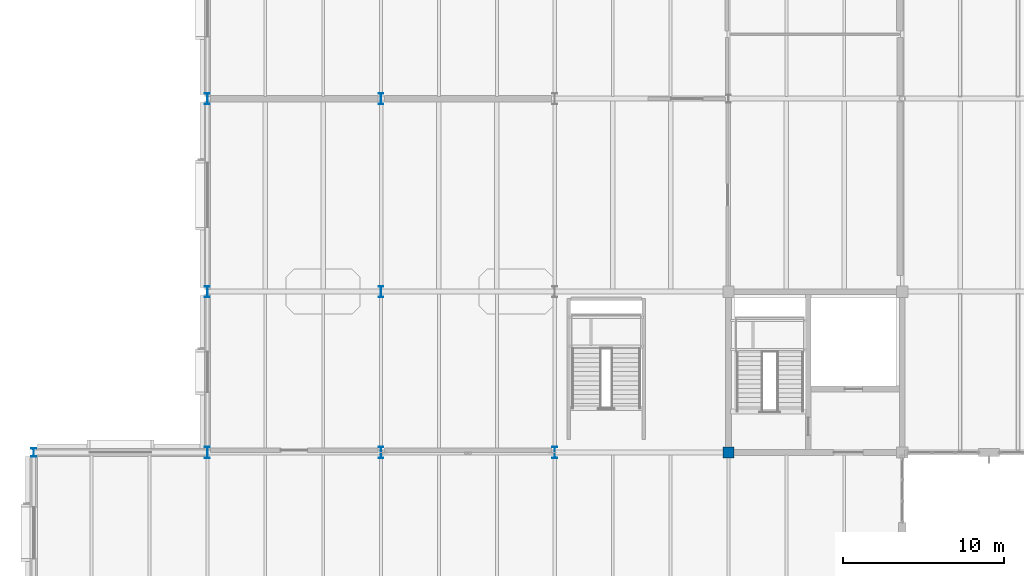
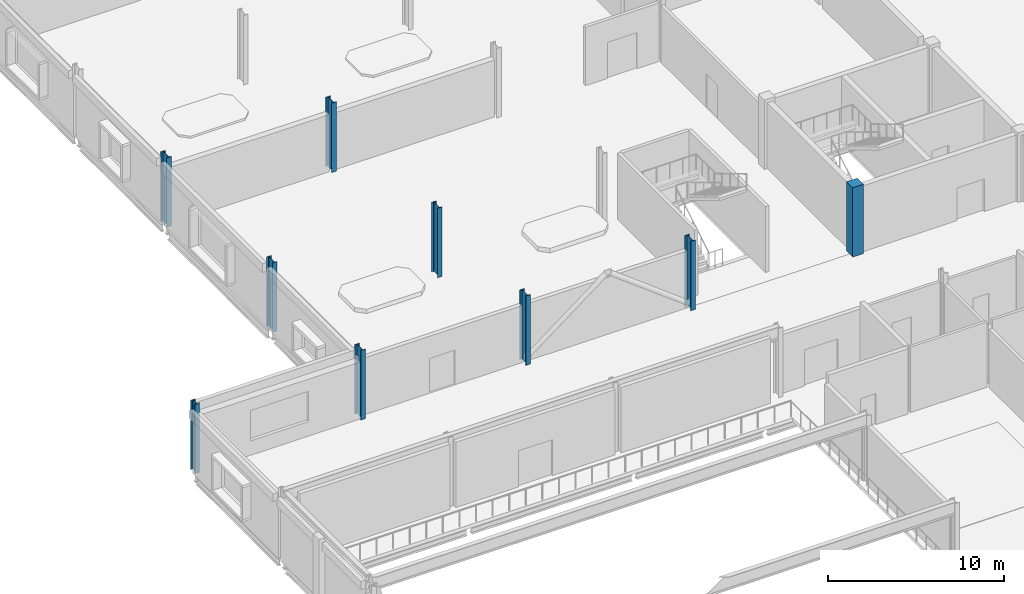
# One storey, part 3 of 92: 9 columns.
"""IFC4 building model written with IfcOpenShell, lengths in metres."""

from ifc_helpers import new_model, si_unit, direction, frame, origin, origin_2d, place, context, subcontext, project, spatial, rectangle, i_section, extrude, material, material_profile, profile_set, type_object, element, save


model = new_model("IFC4")

# Units and contexts
model_context = context("Model", 3, precision=1e-05, world=origin(), true_north=direction((0.0, 1.0)))
body_context = subcontext(model_context, "Body", "Model", "MODEL_VIEW")
ifc_project = project(units=[si_unit("LENGTHUNIT", "METRE"), si_unit("AREAUNIT", "SQUARE_METRE"), si_unit("VOLUMEUNIT", "CUBIC_METRE"), si_unit("PLANEANGLEUNIT", "RADIAN"), si_unit("MASSUNIT", "GRAM", prefix="KILO")], contexts=[model_context])

# Site, building, storey
site_placement = place(None, origin())
site = spatial("IfcSite", under=ifc_project, at=site_placement, CompositionType="ELEMENT")
building_placement = place(site_placement, origin())
building = spatial("IfcBuilding", under=site, at=building_placement, Name="Tasgan Crest Museum", CompositionType="ELEMENT")
storey_placement = place(building_placement, frame((0.0, 0.0, 4.800048828125)))
storey = spatial("IfcBuildingStorey", under=building, at=storey_placement, Name="L01", CompositionType="ELEMENT", Elevation=4.800048828125)

# Columns
ifc_material_1 = material(Name="Steel S355J2", Category="steel")
ifc_material_profile_1 = material_profile(ifc_material_1, i_section(OverallWidth=0.300048828125, OverallDepth=0.5, WebThickness=0.014404296875, FlangeThickness=0.028076171875, FilletRadius=0.027099609375, at=origin_2d()), Name="HEB 500")
ifc_profile_set_1 = profile_set([ifc_material_profile_1], Name="Steel S355J2")
column_type_1 = type_object("IfcColumnType", Name="COL-HEB500", PredefinedType="COLUMN", material=ifc_profile_set_1)
column_1_placement = place(storey_placement, frame((0.0, 40.0, 0.0), z_axis=(0.0, 0.0, 1.0), x_axis=(1.0, 0.0, 0.0)))
element("IfcColumn", 1, at=column_1_placement, inside=storey, type_object=column_type_1, Name="Column 1/E L01", PredefinedType="COLUMN", context=body_context, shape_type="SweptSolid", body=[
    extrude(i_section(OverallWidth=0.300048828125, OverallDepth=0.5, WebThickness=0.014404296875, FlangeThickness=0.028076171875, FilletRadius=0.027099609375, at=origin_2d()), origin(), (0.0, 0.0, 1.0), 4.800048828125),
])
ifc_material_2 = material(Name="Steel S355K2", Category="steel")
ifc_material_profile_2 = material_profile(ifc_material_2, i_section(OverallWidth=0.300048828125, OverallDepth=0.699951171875, WebThickness=0.01708984375, FlangeThickness=0.031982421875, FilletRadius=0.027099609375, at=origin_2d()), Name="HEB 700")
ifc_profile_set_2 = profile_set([ifc_material_profile_2], Name="Steel S355K2")
column_type_2 = type_object("IfcColumnType", Name="COL-HEB700", PredefinedType="COLUMN", material=ifc_profile_set_2)
for number, where, z_axis, x_axis, name in (
    (2, (10.800048828125, 40.0, 0.0), (0.0, 0.0, 1.0), (1.0, 0.0, 0.0), "Column 2/E L01"),
    (3, (10.800048828125, 50.0, 0.0), (0.0, 0.0, 1.0), (1.0, 0.0, 0.0), "Column 2/F L01"),
    (4, (10.800048828125, 62.0, 0.0), (0.0, 0.0, 1.0), (1.0, 0.0, 0.0), "Column 2/G L01"),
    (5, (21.60009765625, 40.0, 0.0), (0.0, 0.0, 1.0), (1.0, 0.0, 0.0), "Column 3/E L01"),
    (6, (21.60009765625, 50.0, 0.0), (0.0, 0.0, 1.0), (1.0, 0.0, 0.0), "Column 3/F L01"),
    (7, (21.60009765625, 62.0, 0.0), (0.0, 0.0, 1.0), (1.0, 0.0, 0.0), "Column 3/G L01"),
    (8, (32.39990234375, 40.0, 0.0), (0.0, 0.0, 1.0), (1.0, 0.0, 0.0), "Column 4/E L01"),
):
    element("IfcColumn", number, at=place(storey_placement, frame(where, z_axis=z_axis, x_axis=x_axis)), inside=storey, type_object=column_type_2, Name=name, PredefinedType="COLUMN", context=body_context, shape_type="SweptSolid", body=[
        extrude(i_section(OverallWidth=0.300048828125, OverallDepth=0.699951171875, WebThickness=0.01708984375, FlangeThickness=0.031982421875, FilletRadius=0.027099609375, at=origin_2d()), origin(), (0.0, 0.0, 1.0), 4.800048828125),
    ])
ifc_material_3 = material(Name="Concrete C40/50", Category="concrete")
ifc_material_profile_3 = material_profile(ifc_material_3, rectangle(XDim=0.699951171875, YDim=0.699951171875, at=origin_2d()), Name="RC 700x700")
ifc_profile_set_3 = profile_set([ifc_material_profile_3], Name="Concrete C40/50")
column_type_3 = type_object("IfcColumnType", Name="COL-RC700", PredefinedType="COLUMN", material=ifc_profile_set_3)
column_2_placement = place(storey_placement, frame((43.199951171875, 40.0, 0.0), z_axis=(0.0, 0.0, 1.0), x_axis=(1.0, 0.0, 0.0)))
element("IfcColumn", 9, at=column_2_placement, inside=storey, type_object=column_type_3, Name="Column 5/E L01", PredefinedType="COLUMN", context=body_context, shape_type="SweptSolid", body=[
    extrude(rectangle(XDim=0.699951171875, YDim=0.699951171875, at=origin_2d()), origin(), (0.0, 0.0, 1.0), 4.800048828125),
])

save(model, "model.ifc")
